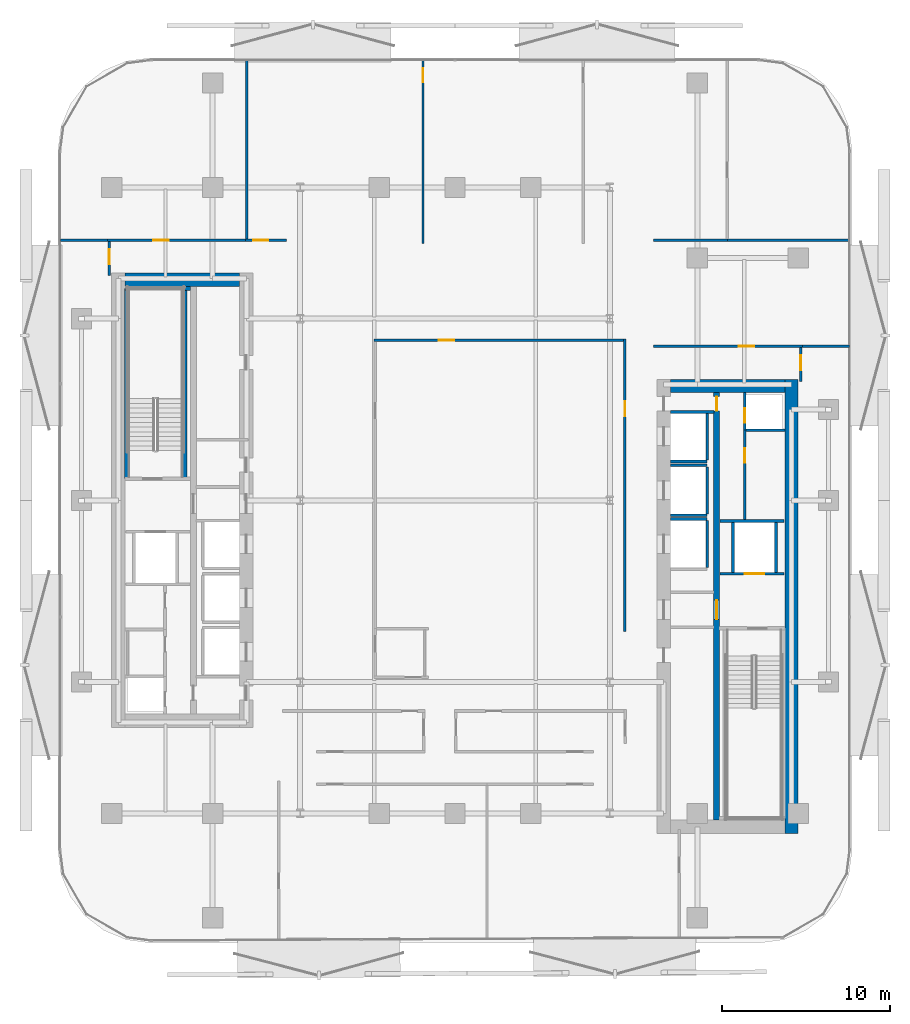
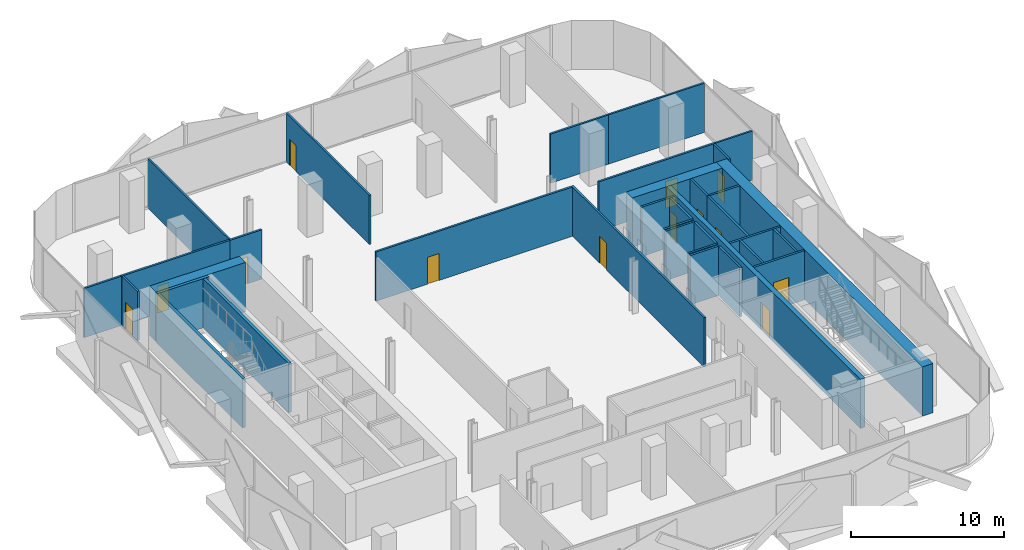
# One storey, part 5 of 15: 35 walls, 13 doors, 13 openings.
"""IFC4 building model written with IfcOpenShell, lengths in metres."""

from ifc_helpers import new_model, si_unit, direction, frame, frame_2d, origin, place, context, subcontext, project, spatial, rectangle, extrude, material, layer, layer_set, type_object, element, fill, save


model = new_model("IFC4")

# Units and contexts
model_context = context("Model", 3, precision=1e-05, world=origin(), true_north=direction((0.0, 1.0)))
body_context = subcontext(model_context, "Body", "Model", "MODEL_VIEW")
ifc_project = project(units=[si_unit("LENGTHUNIT", "METRE"), si_unit("AREAUNIT", "SQUARE_METRE"), si_unit("VOLUMEUNIT", "CUBIC_METRE"), si_unit("PLANEANGLEUNIT", "RADIAN"), si_unit("MASSUNIT", "GRAM", prefix="KILO")], contexts=[model_context])

# Site, building, storey
site_placement = place(None, origin())
site = spatial("IfcSite", under=ifc_project, at=site_placement, CompositionType="ELEMENT")
building_placement = place(site_placement, origin())
building = spatial("IfcBuilding", under=site, at=building_placement, Name="Khairoan Windgate Tower", CompositionType="ELEMENT")
storey_placement = place(building_placement, frame((0.0, 0.0, 118.39990234375)))
storey = spatial("IfcBuildingStorey", under=building, at=storey_placement, Name="L27", CompositionType="ELEMENT", Elevation=118.39990234375)

# Walls
ifc_material_1 = material(Name="Concrete C40/50", Category="concrete")
ifc_layer_1 = layer(ifc_material_1, 0.159912109375, Name="Concrete C40/50")
ifc_layer_set_1 = layer_set([ifc_layer_1], Name="Concrete C40/50")
wall_type_1 = type_object("IfcWallType", Name="Core and Hoistway Enclosure Wall", PredefinedType="STANDARD", material=ifc_layer_set_1)
wall_1_placement = place(storey_placement, frame((12.800048828125, 2.31005859375, 0.0), z_axis=(0.0, 0.0, 1.0), x_axis=(1.0, 0.0, 0.0)))
element("IfcWall", 1, at=wall_1_placement, inside=storey, type_object=wall_type_1, Name="L27 Lift PL7 Hoistway Divider S", PredefinedType="STANDARD", context=body_context, shape_type="SweptSolid", body=[
    extrude(rectangle(XDim=2.18994140625, YDim=0.159912109375, at=frame_2d((1.094970703125, 0.0))), origin(), (0.0, 0.0, 1.0), 3.940185546875),
])
wall_2_placement = place(storey_placement, frame((14.989990234375, 2.39990234375, 0.0), z_axis=(0.0, 0.0, 1.0), x_axis=(0.0, 1.0, 0.0)))
element("IfcWall", 2, at=wall_2_placement, inside=storey, type_object=wall_type_1, Name="L27 Lift PL7 Hoistway Back Wall", PredefinedType="STANDARD", context=body_context, shape_type="SweptSolid", body=[
    extrude(rectangle(XDim=2.800048828125, YDim=0.159912109375, at=frame_2d((1.39990234375, 0.0))), origin(), (0.0, 0.0, 1.0), 3.940185546875),
])
for number, where, z_axis, x_axis, name in (
    (3, (12.800048828125, -0.889892578125, 0.0), (0.0, 0.0, 1.0), (1.0, 0.0, 0.0), "L27 Lift PL8 Hoistway Divider S"),
    (4, (12.800048828125, 2.090087890625, 0.0), (0.0, 0.0, 1.0), (1.0, 0.0, 0.0), "L27 Lift PL8 Hoistway Divider N"),
):
    element("IfcWall", number, at=place(storey_placement, frame(where, z_axis=z_axis, x_axis=x_axis)), inside=storey, type_object=wall_type_1, Name=name, PredefinedType="STANDARD", context=body_context, shape_type="SweptSolid", body=[
        extrude(rectangle(XDim=2.18994140625, YDim=0.159912109375, at=frame_2d((1.094970703125, 0.0))), origin(), (0.0, 0.0, 1.0), 3.940185546875),
    ])
wall_3_placement = place(storey_placement, frame((14.989990234375, -0.800048828125, 0.0), z_axis=(0.0, 0.0, 1.0), x_axis=(0.0, 1.0, 0.0)))
element("IfcWall", 5, at=wall_3_placement, inside=storey, type_object=wall_type_1, Name="L27 Lift PL8 Hoistway Back Wall", PredefinedType="STANDARD", context=body_context, shape_type="SweptSolid", body=[
    extrude(rectangle(XDim=2.800048828125, YDim=0.159912109375, at=frame_2d((1.39990234375, 0.0))), origin(), (0.0, 0.0, 1.0), 3.940185546875),
])
wall_4_placement = place(storey_placement, frame((12.800048828125, -1.110107421875, 0.0), z_axis=(0.0, 0.0, 1.0), x_axis=(1.0, 0.0, 0.0)))
element("IfcWall", 6, at=wall_4_placement, inside=storey, type_object=wall_type_1, Name="L27 Lift PL9 Hoistway Divider N", PredefinedType="STANDARD", context=body_context, shape_type="SweptSolid", body=[
    extrude(rectangle(XDim=2.18994140625, YDim=0.159912109375, at=frame_2d((1.094970703125, 0.0))), origin(), (0.0, 0.0, 1.0), 3.940185546875),
])
wall_5_placement = place(storey_placement, frame((14.989990234375, -4.0, 0.0), z_axis=(0.0, 0.0, 1.0), x_axis=(0.0, 1.0, 0.0)))
element("IfcWall", 7, at=wall_5_placement, inside=storey, type_object=wall_type_1, Name="L27 Lift PL9 Hoistway Back Wall", PredefinedType="STANDARD", context=body_context, shape_type="SweptSolid", body=[
    extrude(rectangle(XDim=2.800048828125, YDim=0.159912109375, at=frame_2d((1.39990234375, 0.0))), origin(), (0.0, 0.0, 1.0), 3.940185546875),
])

# Wall, opening, door
wall_6_placement = place(storey_placement, frame((15.75, -4.360107421875, 0.0), z_axis=(0.0, 0.0, 1.0), x_axis=(1.0, 0.0, 0.0)))
wall_6 = element("IfcWall", 8, at=wall_6_placement, inside=storey, type_object=wall_type_1, Name="L27 Core Shaft Wall SW-FL1-L27", PredefinedType="STANDARD", context=body_context, shape_type="SweptSolid", body=[
    extrude(rectangle(XDim=3.800048828125, YDim=0.159912109375, at=frame_2d((1.89990234375, 0.0))), origin(), (0.0, 0.0, 1.0), 3.940185546875),
])
opening_1_placement = place(wall_6_placement, frame((1.469970703125, 0.0, 0.0)))
opening_1 = element("IfcOpeningElement", 9, at=opening_1_placement, cuts=wall_6, Name="Opening LD-FL", PredefinedType="OPENING", context=body_context, shape_type="SweptSolid", body=[
    extrude(rectangle(XDim=1.14990234375, YDim=2.199951171875, at=frame_2d((0.574951171875, 1.10009765625))), frame((0.0, 0.08984375, 0.0), z_axis=(0.0, -1.0, 0.0), x_axis=(1.0, 0.0, 0.0)), (0.0, 0.0, 1.0), 0.179931640625),
])
ifc_material_2 = material(Name="Steel S355", Category="steel")
door_type_1 = type_object("IfcDoorType", Name="Firefighting Lift Sliding Landing Door LD-FL 1150x2200", OperationType="DOUBLE_DOOR_SLIDING", PredefinedType="DOOR", material=ifc_material_2)
door_1_placement = place(opening_1_placement, origin())
door_1 = element("IfcDoor", 10, at=door_1_placement, inside=storey, type_object=door_type_1, Name="L27 Firefighting Lift FL1 Landing Door", OperationType="DOUBLE_DOOR_SLIDING", OverallHeight=2.199951171875, OverallWidth=1.14990234375, PredefinedType="DOOR", context=body_context, shape_type="SweptSolid", body=[
    extrude(rectangle(XDim=1.14990234375, YDim=2.199951171875, at=frame_2d((0.574951171875, 1.10009765625))), frame((0.0, 0.02490234375, 0.0), z_axis=(0.0, -1.0, 0.0), x_axis=(1.0, 0.0, 0.0)), (0.0, 0.0, 1.0), 0.050048828125),
])
fill(opening_1, door_1)

# Walls
wall_7_placement = place(storey_placement, frame((15.75, -1.219970703125, 0.0), z_axis=(0.0, 0.0, 1.0), x_axis=(1.0, 0.0, 0.0)))
element("IfcWall", 11, at=wall_7_placement, inside=storey, type_object=wall_type_1, Name="L27 Core Shaft Wall SW-FL1T-L27", PredefinedType="STANDARD", context=body_context, shape_type="SweptSolid", body=[
    extrude(rectangle(XDim=3.800048828125, YDim=0.159912109375, at=frame_2d((1.89990234375, 0.0))), origin(), (0.0, 0.0, 1.0), 3.940185546875),
])
for number, where, z_axis, x_axis, name in (
    (12, (16.52001953125, -4.280029296875, 0.0), (0.0, 0.0, 1.0), (0.0, 1.0, 0.0), "L27 Core Shaft Wall SW-FL1W-L27"),
    (13, (19.080078125, -4.280029296875, 0.0), (0.0, 0.0, 1.0), (0.0, 1.0, 0.0), "L27 Core Shaft Wall SW-FL1E-L27"),
):
    element("IfcWall", number, at=place(storey_placement, frame(where, z_axis=z_axis, x_axis=x_axis)), inside=storey, type_object=wall_type_1, Name=name, PredefinedType="STANDARD", context=body_context, shape_type="SweptSolid", body=[
        extrude(rectangle(XDim=2.97998046875, YDim=0.159912109375, at=frame_2d((1.489990234375, 0.0))), origin(), (0.0, 0.0, 1.0), 3.940185546875),
    ])
wall_8_placement = place(storey_placement, frame((12.800048828125, 5.25, 0.0), z_axis=(0.0, 0.0, 1.0), x_axis=(1.0, 0.0, 0.0)))
element("IfcWall", 14, at=wall_8_placement, inside=storey, type_object=wall_type_1, Name="L27 Core Shaft Wall SW-ESV-L27", PredefinedType="STANDARD", context=body_context, shape_type="SweptSolid", body=[
    extrude(rectangle(XDim=2.599853515625, YDim=0.159912109375, at=frame_2d((1.2998046875, 0.0))), origin(), (0.0, 0.0, 1.0), 3.940185546875),
])
ifc_material_3 = material(Name="Acoustic Fire-Rated Gypsum Partition", Category="gypsum")
ifc_layer_2 = layer(ifc_material_3, 0.139892578125, Name="Acoustic Fire-Rated Gypsum Partition")
ifc_layer_set_2 = layer_set([ifc_layer_2], Name="Acoustic Fire-Rated Gypsum Partition")
wall_type_2 = type_object("IfcWallType", Name="Inter-Tenancy Compartment Wall", PredefinedType="PARTITIONING", material=ifc_layer_set_2)
for number, where, z_axis, x_axis, name in (
    (15, (-23.455078125, 15.4599609375, 0.0), (0.0, 0.0, 1.0), (1.0, 0.0, 0.0), "L27 Interior Partition 029"),
    (16, (20.639892578125, 9.159912109375, 0.0), (0.0, 0.0, 1.0), (1.0, 0.0, 0.0), "L27 Interior Partition 030"),
):
    element("IfcWall", number, at=place(storey_placement, frame(where, z_axis=z_axis, x_axis=x_axis)), inside=storey, type_object=wall_type_2, Name=name, PredefinedType="PARTITIONING", context=body_context, shape_type="SweptSolid", body=[
        extrude(rectangle(XDim=2.815185546875, YDim=0.139892578125, at=frame_2d((1.40771484375, 0.0))), origin(), (0.0, 0.0, 1.0), 3.940185546875),
    ])
wall_9_placement = place(storey_placement, frame((11.81005859375, 15.4599609375, 0.0), z_axis=(0.0, 0.0, 1.0), x_axis=(1.0, 0.0, 0.0)))
element("IfcWall", 17, at=wall_9_placement, inside=storey, type_object=wall_type_2, Name="L27 Interior Partition 031", PredefinedType="PARTITIONING", context=body_context, shape_type="SweptSolid", body=[
    extrude(rectangle(XDim=4.3740234375, YDim=0.139892578125, at=frame_2d((2.18701171875, 0.0))), origin(), (0.0, 0.0, 1.0), 3.940185546875),
])
wall_10_placement = place(storey_placement, frame((16.18408203125, 15.4599609375, 0.0), z_axis=(0.0, 0.0, 1.0), x_axis=(1.0, 0.0, 0.0)))
element("IfcWall", 18, at=wall_10_placement, inside=storey, type_object=wall_type_2, Name="L27 Interior Partition 032", PredefinedType="PARTITIONING", context=body_context, shape_type="SweptSolid", body=[
    extrude(rectangle(XDim=7.27099609375, YDim=0.139892578125, at=frame_2d((3.635498046875, 0.0))), origin(), (0.0, 0.0, 1.0), 3.940185546875),
])
wall_11_placement = place(storey_placement, frame((-12.3759765625, 15.534912109375, 0.0), z_axis=(0.0, 0.0, 1.0), x_axis=(0.0, 1.0, 0.0)))
element("IfcWall", 19, at=wall_11_placement, inside=storey, type_object=wall_type_2, Name="L27 Interior Partition 033", PredefinedType="PARTITIONING", context=body_context, shape_type="SweptSolid", body=[
    extrude(rectangle(XDim=10.6201171875, YDim=0.139892578125, at=frame_2d((5.31005859375, 0.0))), origin(), (0.0, 0.0, 1.0), 3.940185546875),
])

# Wall, opening, door
wall_12_placement = place(storey_placement, frame((-1.904052734375, 15.280029296875, 0.0), z_axis=(0.0, 0.0, 1.0), x_axis=(0.0, 1.0, 0.0)))
wall_12 = element("IfcWall", 20, at=wall_12_placement, inside=storey, type_object=wall_type_2, Name="L27 Interior Partition 034", PredefinedType="PARTITIONING", context=body_context, shape_type="SweptSolid", body=[
    extrude(rectangle(XDim=10.875, YDim=0.139892578125, at=frame_2d((5.4375, 0.0))), origin(), (0.0, 0.0, 1.0), 3.940185546875),
])
opening_2_placement = place(wall_12_placement, frame((9.56494140625, 0.0, 0.0)))
opening_2 = element("IfcOpeningElement", 21, at=opening_2_placement, cuts=wall_12, Name="Opening FD-SRV", PredefinedType="OPENING", context=body_context, shape_type="SweptSolid", body=[
    extrude(rectangle(XDim=0.85009765625, YDim=2.10009765625, at=frame_2d((0.425048828125, 1.050048828125))), frame((0.0, 0.079833984375, 0.0), z_axis=(0.0, -1.0, 0.0), x_axis=(1.0, 0.0, 0.0)), (0.0, 0.0, 1.0), 0.159912109375),
])
ifc_material_4 = material(Name="Steel S355", Category="steel")
door_type_2 = type_object("IfcDoorType", Name="Core Service and Riser Fire Door FD-SRV 850x2100", OperationType="NOTDEFINED", PredefinedType="DOOR", material=ifc_material_4)
door_2_placement = place(opening_2_placement, origin())
door_2 = element("IfcDoor", 22, at=door_2_placement, inside=storey, type_object=door_type_2, Name="L27 L27-40-L27-41 Door", OperationType="SINGLE_SWING_RIGHT", OverallHeight=2.10009765625, OverallWidth=0.85009765625, PredefinedType="DOOR", context=body_context, shape_type="SweptSolid", body=[
    extrude(rectangle(XDim=0.85009765625, YDim=2.10009765625, at=frame_2d((0.425048828125, 1.050048828125))), frame((0.0, 0.02490234375, 0.0), z_axis=(0.0, -1.0, 0.0), x_axis=(1.0, 0.0, 0.0)), (0.0, 0.0, 1.0), 0.050048828125),
])
fill(opening_2, door_2)

ifc_material_5 = material(Name="Concrete C40/50", Category="concrete")
ifc_layer_3 = layer(ifc_material_5, 0.159912109375, Name="Concrete C40/50")
ifc_layer_set_3 = layer_set([ifc_layer_3], Name="Concrete C40/50")
wall_type_3 = type_object("IfcWallType", Name="Plant and Refuge Compartment Wall", PredefinedType="PARTITIONING", material=ifc_layer_set_3)
wall_13_placement = place(storey_placement, frame((17.22998046875, 4.169921875, 0.0), z_axis=(0.0, 0.0, 1.0), x_axis=(0.0, 1.0, 0.0)))
wall_13 = element("IfcWall", 23, at=wall_13_placement, inside=storey, type_object=wall_type_3, Name="L27 Interior Partition 007", PredefinedType="PARTITIONING", context=body_context, shape_type="SweptSolid", body=[
    extrude(rectangle(XDim=2.22998046875, YDim=0.159912109375, at=frame_2d((1.114990234375, 0.0))), origin(), (0.0, 0.0, 1.0), 3.940185546875),
])
opening_3_placement = place(wall_13_placement, frame((0.4599609375, 0.0, 0.0)))
opening_3 = element("IfcOpeningElement", 24, at=opening_3_placement, cuts=wall_13, Name="Opening FD-SRV", PredefinedType="OPENING", context=body_context, shape_type="SweptSolid", body=[
    extrude(rectangle(XDim=0.85009765625, YDim=2.10009765625, at=frame_2d((0.425048828125, 1.050048828125))), frame((0.0, 0.08984375, 0.0), z_axis=(0.0, -1.0, 0.0), x_axis=(1.0, 0.0, 0.0)), (0.0, 0.0, 1.0), 0.179931640625),
])
door_3_placement = place(opening_3_placement, origin())
door_3 = element("IfcDoor", 25, at=door_3_placement, inside=storey, type_object=door_type_2, Name="L27 L27-18-L27-19 Door", OperationType="SINGLE_SWING_LEFT", OverallHeight=2.10009765625, OverallWidth=0.85009765625, PredefinedType="DOOR", context=body_context, shape_type="SweptSolid", body=[
    extrude(rectangle(XDim=0.85009765625, YDim=2.10009765625, at=frame_2d((0.425048828125, 1.050048828125))), frame((0.0, 0.02490234375, 0.0), z_axis=(0.0, -1.0, 0.0), x_axis=(1.0, 0.0, 0.0)), (0.0, 0.0, 1.0), 0.050048828125),
])
fill(opening_3, door_3)

wall_14_placement = place(storey_placement, frame((17.22998046875, -1.139892578125, 0.0), z_axis=(0.0, 0.0, 1.0), x_axis=(0.0, 1.0, 0.0)))
wall_14 = element("IfcWall", 26, at=wall_14_placement, inside=storey, type_object=wall_type_3, Name="L27 Interior Partition 008", PredefinedType="PARTITIONING", context=body_context, shape_type="SweptSolid", body=[
    extrude(rectangle(XDim=5.309814453125, YDim=0.159912109375, at=frame_2d((2.65478515625, 0.0))), origin(), (0.0, 0.0, 1.0), 3.940185546875),
])
opening_4_placement = place(wall_14_placement, frame((3.375244140625, 0.0, 0.0)))
opening_4 = element("IfcOpeningElement", 27, at=opening_4_placement, cuts=wall_14, Name="Opening FD-SRV", PredefinedType="OPENING", context=body_context, shape_type="SweptSolid", body=[
    extrude(rectangle(XDim=0.85009765625, YDim=2.10009765625, at=frame_2d((0.425048828125, 1.050048828125))), frame((0.0, 0.08984375, 0.0), z_axis=(0.0, -1.0, 0.0), x_axis=(1.0, 0.0, 0.0)), (0.0, 0.0, 1.0), 0.179931640625),
])
door_4_placement = place(opening_4_placement, origin())
door_4 = element("IfcDoor", 28, at=door_4_placement, inside=storey, type_object=door_type_2, Name="L27 L27-18-L27-20 Door", OperationType="SINGLE_SWING_RIGHT", OverallHeight=2.10009765625, OverallWidth=0.85009765625, PredefinedType="DOOR", context=body_context, shape_type="SweptSolid", body=[
    extrude(rectangle(XDim=0.85009765625, YDim=2.10009765625, at=frame_2d((0.425048828125, 1.050048828125))), frame((0.0, 0.02490234375, 0.0), z_axis=(0.0, -1.0, 0.0), x_axis=(1.0, 0.0, 0.0)), (0.0, 0.0, 1.0), 0.050048828125),
])
fill(opening_4, door_4)

# Wall
wall_15_placement = place(storey_placement, frame((17.31005859375, 4.169921875, 0.0), z_axis=(0.0, 0.0, 1.0), x_axis=(1.0, 0.0, 0.0)))
element("IfcWall", 29, at=wall_15_placement, inside=storey, type_object=wall_type_3, Name="L27 Interior Partition 009", PredefinedType="PARTITIONING", context=body_context, shape_type="SweptSolid", body=[
    extrude(rectangle(XDim=2.2900390625, YDim=0.159912109375, at=frame_2d((1.14501953125, 0.0))), origin(), (0.0, 0.0, 1.0), 3.940185546875),
])

# Wall, opening, door
ifc_material_6 = material(Name="Acoustic Fire-Rated Gypsum Partition", Category="gypsum")
ifc_layer_4 = layer(ifc_material_6, 0.14990234375, Name="Acoustic Fire-Rated Gypsum Partition")
ifc_layer_set_4 = layer_set([ifc_layer_4], Name="Acoustic Fire-Rated Gypsum Partition")
wall_type_4 = type_object("IfcWallType", Name="Rated Corridor Partition Wall", PredefinedType="PARTITIONING", material=ifc_layer_set_4)
wall_16_placement = place(storey_placement, frame((-12.446044921875, 15.4599609375, 0.0), z_axis=(0.0, 0.0, 1.0), x_axis=(1.0, 0.0, 0.0)))
wall_16 = element("IfcWall", 30, at=wall_16_placement, inside=storey, type_object=wall_type_4, Name="L27 Interior Partition 010", PredefinedType="PARTITIONING", context=body_context, shape_type="SweptSolid", body=[
    extrude(rectangle(XDim=2.43603515625, YDim=0.14990234375, at=frame_2d((1.218017578125, 0.0))), origin(), (0.0, 0.0, 1.0), 3.940185546875),
])
opening_5_placement = place(wall_16_placement, frame((0.4599609375, 0.0, 0.0)))
opening_5 = element("IfcOpeningElement", 31, at=opening_5_placement, cuts=wall_16, Name="Opening FD-ENT", PredefinedType="OPENING", context=body_context, shape_type="SweptSolid", body=[
    extrude(rectangle(XDim=0.89990234375, YDim=2.14990234375, at=frame_2d((0.449951171875, 1.074951171875))), frame((0.0, 0.0849609375, 0.0), z_axis=(0.0, -1.0, 0.0), x_axis=(1.0, 0.0, 0.0)), (0.0, 0.0, 1.0), 0.169921875),
])
ifc_material_7 = material(Name="Timber Fire-Rated Core", Category="wood")
door_type_3 = type_object("IfcDoorType", Name="Unit and Office Fire Entrance Door FD-ENT 900x2150", OperationType="NOTDEFINED", PredefinedType="DOOR", material=ifc_material_7)
door_5_placement = place(opening_5_placement, origin())
door_5 = element("IfcDoor", 32, at=door_5_placement, inside=storey, type_object=door_type_3, Name="L27 L27-27-L27-40 Door", OperationType="SINGLE_SWING_LEFT", OverallHeight=2.14990234375, OverallWidth=0.89990234375, PredefinedType="DOOR", context=body_context, shape_type="SweptSolid", body=[
    extrude(rectangle(XDim=0.89990234375, YDim=2.14990234375, at=frame_2d((0.449951171875, 1.074951171875))), frame((0.0, 0.02490234375, 0.0), z_axis=(0.0, -1.0, 0.0), x_axis=(1.0, 0.0, 0.0)), (0.0, 0.0, 1.0), 0.050048828125),
])
fill(opening_5, door_5)

wall_17_placement = place(storey_placement, frame((10.10009765625, -7.780029296875, 0.0), z_axis=(0.0, 0.0, 1.0), x_axis=(0.0, 1.0, 0.0)))
wall_17 = element("IfcWall", 33, at=wall_17_placement, inside=storey, type_object=wall_type_4, Name="L27 Interior Partition 011", PredefinedType="PARTITIONING", context=body_context, shape_type="SweptSolid", body=[
    extrude(rectangle(XDim=17.375, YDim=0.14990234375, at=frame_2d((8.6875, 0.0))), origin(), (0.0, 0.0, 1.0), 3.940185546875),
])
opening_6_placement = place(wall_17_placement, frame((12.78271484375, 0.0, 0.0)))
opening_6 = element("IfcOpeningElement", 34, at=opening_6_placement, cuts=wall_17, Name="Opening FD-ENT", PredefinedType="OPENING", context=body_context, shape_type="SweptSolid", body=[
    extrude(rectangle(XDim=0.89990234375, YDim=2.14990234375, at=frame_2d((0.449951171875, 1.074951171875))), frame((0.0, 0.0849609375, 0.0), z_axis=(0.0, -1.0, 0.0), x_axis=(1.0, 0.0, 0.0)), (0.0, 0.0, 1.0), 0.169921875),
])
door_6_placement = place(opening_6_placement, origin())
door_6 = element("IfcDoor", 35, at=door_6_placement, inside=storey, type_object=door_type_3, Name="L27 L27-28-L27-49 Door", OperationType="SINGLE_SWING_RIGHT", OverallHeight=2.14990234375, OverallWidth=0.89990234375, PredefinedType="DOOR", context=body_context, shape_type="SweptSolid", body=[
    extrude(rectangle(XDim=0.89990234375, YDim=2.14990234375, at=frame_2d((0.449951171875, 1.074951171875))), frame((0.0, 0.02490234375, 0.0), z_axis=(0.0, -1.0, 0.0), x_axis=(1.0, 0.0, 0.0)), (0.0, 0.0, 1.0), 0.050048828125),
])
fill(opening_6, door_6)

wall_18_placement = place(storey_placement, frame((-4.820068359375, 9.52001953125, 0.0), z_axis=(0.0, 0.0, 1.0), x_axis=(1.0, 0.0, 0.0)))
wall_18 = element("IfcWall", 36, at=wall_18_placement, inside=storey, type_object=wall_type_4, Name="L27 Interior Partition 013", PredefinedType="PARTITIONING", context=body_context, shape_type="SweptSolid", body=[
    extrude(rectangle(XDim=14.844970703125, YDim=0.14990234375, at=frame_2d((7.42236328125, 0.0))), origin(), (0.0, 0.0, 1.0), 3.940185546875),
])
opening_7_placement = place(wall_18_placement, frame((3.866455078125, 0.0, 0.0)))
opening_7 = element("IfcOpeningElement", 37, at=opening_7_placement, cuts=wall_18, Name="Opening FD-ENT", PredefinedType="OPENING", context=body_context, shape_type="SweptSolid", body=[
    extrude(rectangle(XDim=0.89990234375, YDim=2.14990234375, at=frame_2d((0.449951171875, 1.074951171875))), frame((0.0, 0.0849609375, 0.0), z_axis=(0.0, -1.0, 0.0), x_axis=(1.0, 0.0, 0.0)), (0.0, 0.0, 1.0), 0.169921875),
])
door_7_placement = place(opening_7_placement, origin())
door_7 = element("IfcDoor", 38, at=door_7_placement, inside=storey, type_object=door_type_3, Name="L27 L27-29-L27-49 Door", OperationType="SINGLE_SWING_RIGHT", OverallHeight=2.14990234375, OverallWidth=0.89990234375, PredefinedType="DOOR", context=body_context, shape_type="SweptSolid", body=[
    extrude(rectangle(XDim=0.89990234375, YDim=2.14990234375, at=frame_2d((0.449951171875, 1.074951171875))), frame((0.0, 0.02490234375, 0.0), z_axis=(0.0, -1.0, 0.0), x_axis=(1.0, 0.0, 0.0)), (0.0, 0.0, 1.0), 0.050048828125),
])
fill(opening_7, door_7)

wall_19_placement = place(storey_placement, frame((-20.5400390625, 13.360107421875, 0.0), z_axis=(0.0, 0.0, 1.0), x_axis=(0.0, 1.0, 0.0)))
wall_19 = element("IfcWall", 39, at=wall_19_placement, inside=storey, type_object=wall_type_4, Name="L27 Interior Partition 019", PredefinedType="PARTITIONING", context=body_context, shape_type="SweptSolid", body=[
    extrude(rectangle(XDim=2.02490234375, YDim=0.14990234375, at=frame_2d((1.012451171875, 0.0))), origin(), (0.0, 0.0, 1.0), 3.940185546875),
])
opening_8_placement = place(wall_19_placement, frame((0.6650390625, 0.0, 0.0)))
opening_8 = element("IfcOpeningElement", 40, at=opening_8_placement, cuts=wall_19, Name="Opening FD-ENT", PredefinedType="OPENING", context=body_context, shape_type="SweptSolid", body=[
    extrude(rectangle(XDim=0.89990234375, YDim=2.14990234375, at=frame_2d((0.449951171875, 1.074951171875))), frame((0.0, 0.0849609375, 0.0), z_axis=(0.0, -1.0, 0.0), x_axis=(1.0, 0.0, 0.0)), (0.0, 0.0, 1.0), 0.169921875),
])
door_8_placement = place(opening_8_placement, origin())
door_8 = element("IfcDoor", 41, at=door_8_placement, inside=storey, type_object=door_type_3, Name="L27 L27-32-L27-36 Door", OperationType="SINGLE_SWING_RIGHT", OverallHeight=2.14990234375, OverallWidth=0.89990234375, PredefinedType="DOOR", context=body_context, shape_type="SweptSolid", body=[
    extrude(rectangle(XDim=0.89990234375, YDim=2.14990234375, at=frame_2d((0.449951171875, 1.074951171875))), frame((0.0, 0.02490234375, 0.0), z_axis=(0.0, -1.0, 0.0), x_axis=(1.0, 0.0, 0.0)), (0.0, 0.0, 1.0), 0.050048828125),
])
fill(opening_8, door_8)

wall_20_placement = place(storey_placement, frame((-20.639892578125, 15.4599609375, 0.0), z_axis=(0.0, 0.0, 1.0), x_axis=(1.0, 0.0, 0.0)))
wall_20 = element("IfcWall", 42, at=wall_20_placement, inside=storey, type_object=wall_type_4, Name="L27 Interior Partition 020", PredefinedType="PARTITIONING", context=body_context, shape_type="SweptSolid", body=[
    extrude(rectangle(XDim=8.19384765625, YDim=0.14990234375, at=frame_2d((4.096923828125, 0.0))), origin(), (0.0, 0.0, 1.0), 3.940185546875),
])
opening_9_placement = place(wall_20_placement, frame((2.7216796875, 0.0, 0.0)))
opening_9 = element("IfcOpeningElement", 43, at=opening_9_placement, cuts=wall_20, Name="Opening FD-ENT", PredefinedType="OPENING", context=body_context, shape_type="SweptSolid", body=[
    extrude(rectangle(XDim=0.89990234375, YDim=2.14990234375, at=frame_2d((0.449951171875, 1.074951171875))), frame((0.0, 0.0849609375, 0.0), z_axis=(0.0, -1.0, 0.0), x_axis=(1.0, 0.0, 0.0)), (0.0, 0.0, 1.0), 0.169921875),
])
door_9_placement = place(opening_9_placement, origin())
door_9 = element("IfcDoor", 44, at=door_9_placement, inside=storey, type_object=door_type_3, Name="L27 L27-32-L27-39 Door", OperationType="SINGLE_SWING_LEFT", OverallHeight=2.14990234375, OverallWidth=0.89990234375, PredefinedType="DOOR", context=body_context, shape_type="SweptSolid", body=[
    extrude(rectangle(XDim=0.89990234375, YDim=2.14990234375, at=frame_2d((0.449951171875, 1.074951171875))), frame((0.0, 0.02490234375, 0.0), z_axis=(0.0, -1.0, 0.0), x_axis=(1.0, 0.0, 0.0)), (0.0, 0.0, 1.0), 0.050048828125),
])
fill(opening_9, door_9)

wall_21_placement = place(storey_placement, frame((20.5400390625, 7.06005859375, 0.0), z_axis=(0.0, 0.0, 1.0), x_axis=(0.0, 1.0, 0.0)))
wall_21 = element("IfcWall", 45, at=wall_21_placement, inside=storey, type_object=wall_type_4, Name="L27 Interior Partition 021", PredefinedType="PARTITIONING", context=body_context, shape_type="SweptSolid", body=[
    extrude(rectangle(XDim=2.02490234375, YDim=0.14990234375, at=frame_2d((1.012451171875, 0.0))), origin(), (0.0, 0.0, 1.0), 3.940185546875),
])
opening_10_placement = place(wall_21_placement, frame((0.6650390625, 0.0, 0.0)))
opening_10 = element("IfcOpeningElement", 46, at=opening_10_placement, cuts=wall_21, Name="Opening FD-ENT", PredefinedType="OPENING", context=body_context, shape_type="SweptSolid", body=[
    extrude(rectangle(XDim=0.89990234375, YDim=2.14990234375, at=frame_2d((0.449951171875, 1.074951171875))), frame((0.0, 0.0849609375, 0.0), z_axis=(0.0, -1.0, 0.0), x_axis=(1.0, 0.0, 0.0)), (0.0, 0.0, 1.0), 0.169921875),
])
door_10_placement = place(opening_10_placement, origin())
door_10 = element("IfcDoor", 47, at=door_10_placement, inside=storey, type_object=door_type_3, Name="L27 L27-33-L27-37 Door", OperationType="SINGLE_SWING_RIGHT", OverallHeight=2.14990234375, OverallWidth=0.89990234375, PredefinedType="DOOR", context=body_context, shape_type="SweptSolid", body=[
    extrude(rectangle(XDim=0.89990234375, YDim=2.14990234375, at=frame_2d((0.449951171875, 1.074951171875))), frame((0.0, 0.02490234375, 0.0), z_axis=(0.0, -1.0, 0.0), x_axis=(1.0, 0.0, 0.0)), (0.0, 0.0, 1.0), 0.050048828125),
])
fill(opening_10, door_10)

wall_22_placement = place(storey_placement, frame((11.81005859375, 9.159912109375, 0.0), z_axis=(0.0, 0.0, 1.0), x_axis=(1.0, 0.0, 0.0)))
wall_22 = element("IfcWall", 48, at=wall_22_placement, inside=storey, type_object=wall_type_4, Name="L27 Interior Partition 022", PredefinedType="PARTITIONING", context=body_context, shape_type="SweptSolid", body=[
    extrude(rectangle(XDim=8.829833984375, YDim=0.14990234375, at=frame_2d((4.4150390625, 0.0))), origin(), (0.0, 0.0, 1.0), 3.940185546875),
])
opening_11_placement = place(wall_22_placement, frame((5.066650390625, 0.0, 0.0)))
opening_11 = element("IfcOpeningElement", 49, at=opening_11_placement, cuts=wall_22, Name="Opening FD-ENT", PredefinedType="OPENING", context=body_context, shape_type="SweptSolid", body=[
    extrude(rectangle(XDim=0.89990234375, YDim=2.14990234375, at=frame_2d((0.449951171875, 1.074951171875))), frame((0.0, 0.0849609375, 0.0), z_axis=(0.0, -1.0, 0.0), x_axis=(1.0, 0.0, 0.0)), (0.0, 0.0, 1.0), 0.169921875),
])
door_11_placement = place(opening_11_placement, origin())
door_11 = element("IfcDoor", 50, at=door_11_placement, inside=storey, type_object=door_type_3, Name="L27 L27-33-L27-38 Door", OperationType="SINGLE_SWING_LEFT", OverallHeight=2.14990234375, OverallWidth=0.89990234375, PredefinedType="DOOR", context=body_context, shape_type="SweptSolid", body=[
    extrude(rectangle(XDim=0.89990234375, YDim=2.14990234375, at=frame_2d((0.449951171875, 1.074951171875))), frame((0.0, 0.02490234375, 0.0), z_axis=(0.0, -1.0, 0.0), x_axis=(1.0, 0.0, 0.0)), (0.0, 0.0, 1.0), 0.050048828125),
])
fill(opening_11, door_11)

# Walls
ifc_material_8 = material(Name="Concrete C70/85", Category="concrete")
ifc_layer_5 = layer(ifc_material_8, 0.800048828125, Name="Concrete C70/85")
ifc_layer_set_5 = layer_set([ifc_layer_5], Name="Concrete C70/85")
wall_type_5 = type_object("IfcWallType", Name="Shear Wall CW-E1 800mm", PredefinedType="SHEAR", material=ifc_layer_set_5)
wall_23_placement = place(storey_placement, frame((20.0, -19.800048828125, 0.0), z_axis=(0.0, 0.0, 1.0), x_axis=(0.0, 1.0, 0.0)))
element("IfcWall", 51, at=wall_23_placement, inside=storey, type_object=wall_type_5, Name="E Core East Shear Wall L27", PredefinedType="SHEAR", context=body_context, shape_type="SweptSolid", body=[
    extrude(rectangle(XDim=27.0, YDim=0.800048828125, at=frame_2d((13.5, 0.0))), origin(), (0.0, 0.0, 1.0), 3.940185546875),
])
wall_24_placement = place(storey_placement, frame((12.800048828125, 6.800048828125, 0.0), z_axis=(0.0, 0.0, 1.0), x_axis=(1.0, 0.0, 0.0)))
element("IfcWall", 52, at=wall_24_placement, inside=storey, type_object=wall_type_5, Name="E Core North Shear Wall L27", PredefinedType="SHEAR", context=body_context, shape_type="SweptSolid", body=[
    extrude(rectangle(XDim=6.800048828125, YDim=0.800048828125, at=frame_2d((3.39990234375, 0.0))), origin(), (0.0, 0.0, 1.0), 3.940185546875),
])
ifc_material_9 = material(Name="Concrete C70/85", Category="concrete")
ifc_layer_6 = layer(ifc_material_9, 0.800048828125, Name="Concrete C70/85")
ifc_layer_set_6 = layer_set([ifc_layer_6], Name="Concrete C70/85")
wall_type_6 = type_object("IfcWallType", Name="Shear Wall CW-W1 800mm", PredefinedType="SHEAR", material=ifc_layer_set_6)
wall_25_placement = place(storey_placement, frame((-19.60009765625, 13.10009765625, 0.0), z_axis=(0.0, 0.0, 1.0), x_axis=(1.0, 0.0, 0.0)))
element("IfcWall", 53, at=wall_25_placement, inside=storey, type_object=wall_type_6, Name="W Core North Shear Wall L27", PredefinedType="SHEAR", context=body_context, shape_type="SweptSolid", body=[
    extrude(rectangle(XDim=6.800048828125, YDim=0.800048828125, at=frame_2d((3.39990234375, 0.0))), origin(), (0.0, 0.0, 1.0), 3.940185546875),
])

# Wall, openings, doors
ifc_material_10 = material(Name="Concrete C60/75", Category="concrete")
ifc_layer_7 = layer(ifc_material_10, 0.35009765625, Name="Concrete C60/75")
ifc_layer_set_7 = layer_set([ifc_layer_7], Name="Concrete C60/75")
wall_type_7 = type_object("IfcWallType", Name="Shear Wall SW-1 350mm", PredefinedType="SHEAR", material=ifc_layer_set_7)
wall_26_placement = place(storey_placement, frame((15.550048828125, -19.0, 0.0), z_axis=(0.0, 0.0, 1.0), x_axis=(0.0, 1.0, 0.0)))
wall_26 = element("IfcWall", 54, at=wall_26_placement, inside=storey, type_object=wall_type_7, Name="E Core Spine Shear Wall L27", PredefinedType="SHEAR", context=body_context, shape_type="SweptSolid", body=[
    extrude(rectangle(XDim=25.39990234375, YDim=0.35009765625, at=frame_2d((12.699951171875, 0.0))), origin(), (0.0, 0.0, 1.0), 3.940185546875),
])
opening_12_placement = place(wall_26_placement, frame((11.925048828125, 0.0, 0.0)))
opening_12 = element("IfcOpeningElement", 55, at=opening_12_placement, cuts=wall_26, Name="Opening FD-FFL", PredefinedType="OPENING", context=body_context, shape_type="SweptSolid", body=[
    extrude(rectangle(XDim=1.14990234375, YDim=2.199951171875, at=frame_2d((0.574951171875, 1.10009765625))), frame((0.0, 0.18505859375, 0.0), z_axis=(0.0, -1.0, 0.0), x_axis=(1.0, 0.0, 0.0)), (0.0, 0.0, 1.0), 0.3701171875),
])
opening_13_placement = place(wall_26_placement, frame((24.324951171875, 0.0, 0.0)))
opening_13 = element("IfcOpeningElement", 56, at=opening_13_placement, cuts=wall_26, Name="Opening FD-SRV", PredefinedType="OPENING", context=body_context, shape_type="SweptSolid", body=[
    extrude(rectangle(XDim=0.85009765625, YDim=2.10009765625, at=frame_2d((0.425048828125, 1.050048828125))), frame((0.0, 0.18505859375, 0.0), z_axis=(0.0, -1.0, 0.0), x_axis=(1.0, 0.0, 0.0)), (0.0, 0.0, 1.0), 0.3701171875),
])
door_12_placement = place(opening_13_placement, origin())
door_12 = element("IfcDoor", 57, at=door_12_placement, inside=storey, type_object=door_type_2, Name="L27 East Core Service Passage Inner Door", OperationType="SINGLE_SWING_LEFT", OverallHeight=2.10009765625, OverallWidth=0.85009765625, PredefinedType="DOOR", context=body_context, shape_type="SweptSolid", body=[
    extrude(rectangle(XDim=0.85009765625, YDim=2.10009765625, at=frame_2d((0.425048828125, 1.050048828125))), frame((0.0, 0.02490234375, 0.0), z_axis=(0.0, -1.0, 0.0), x_axis=(1.0, 0.0, 0.0)), (0.0, 0.0, 1.0), 0.050048828125),
])
fill(opening_13, door_12)
ifc_material_11 = material(Name="Steel S355", Category="steel")
door_type_4 = type_object("IfcDoorType", Name="Firefighting Lobby Fire Door FD-FFL 1150x2200", OperationType="NOTDEFINED", PredefinedType="DOOR", material=ifc_material_11)
door_13_placement = place(opening_12_placement, origin())
door_13 = element("IfcDoor", 58, at=door_13_placement, inside=storey, type_object=door_type_4, Name="L27 East Firefighting Lobby Fire Door", OperationType="SINGLE_SWING_LEFT", OverallHeight=2.199951171875, OverallWidth=1.14990234375, PredefinedType="DOOR", context=body_context, shape_type="SweptSolid", body=[
    extrude(rectangle(XDim=1.14990234375, YDim=2.199951171875, at=frame_2d((0.574951171875, 1.10009765625))), frame((0.0, 0.02490234375, 0.0), z_axis=(0.0, -1.0, 0.0), x_axis=(1.0, 0.0, 0.0)), (0.0, 0.0, 1.0), 0.050048828125),
])
fill(opening_12, door_13)

# Walls
ifc_material_12 = material(Name="Concrete C50/60", Category="concrete")
ifc_layer_8 = layer(ifc_material_12, 0.219970703125, Name="Concrete C50/60")
ifc_layer_set_8 = layer_set([ifc_layer_8], Name="Concrete C50/60")
wall_type_8 = type_object("IfcWallType", Name="Shear Wall SW-ST 220mm", PredefinedType="SHEAR", material=ifc_layer_set_8)
for number, where, z_axis, x_axis, name in (
    (59, (-16.0400390625, 1.2900390625, 0.0), (0.0, 0.0, 1.0), (0.0, 1.0, 0.0), "L27 Stair ST2 East Bearing Wall"),
    (60, (-19.530029296875, 1.2900390625, 0.0), (0.0, 0.0, 1.0), (0.0, 1.0, 0.0), "L27 Stair ST2 West Bearing Wall"),
):
    element("IfcWall", number, at=place(storey_placement, frame(where, z_axis=z_axis, x_axis=x_axis)), inside=storey, type_object=wall_type_8, Name=name, PredefinedType="SHEAR", context=body_context, shape_type="SweptSolid", body=[
        extrude(rectangle(XDim=11.300048828125, YDim=0.219970703125, at=frame_2d((5.64990234375, 0.0))), origin(), (0.0, 0.0, 1.0), 3.940185546875),
    ])
wall_27_placement = place(storey_placement, frame((-19.6201171875, 12.590087890625, 0.0), z_axis=(0.0, 0.0, 1.0), x_axis=(1.0, 0.0, 0.0)))
element("IfcWall", 61, at=wall_27_placement, inside=storey, type_object=wall_type_8, Name="L27 Stair ST2 North Bearing Wall", PredefinedType="SHEAR", context=body_context, shape_type="SweptSolid", body=[
    extrude(rectangle(XDim=3.9150390625, YDim=0.219970703125, at=frame_2d((1.95751953125, 0.0))), origin(), (0.0, 0.0, 1.0), 3.940185546875),
])

save(model, "model.ifc")
